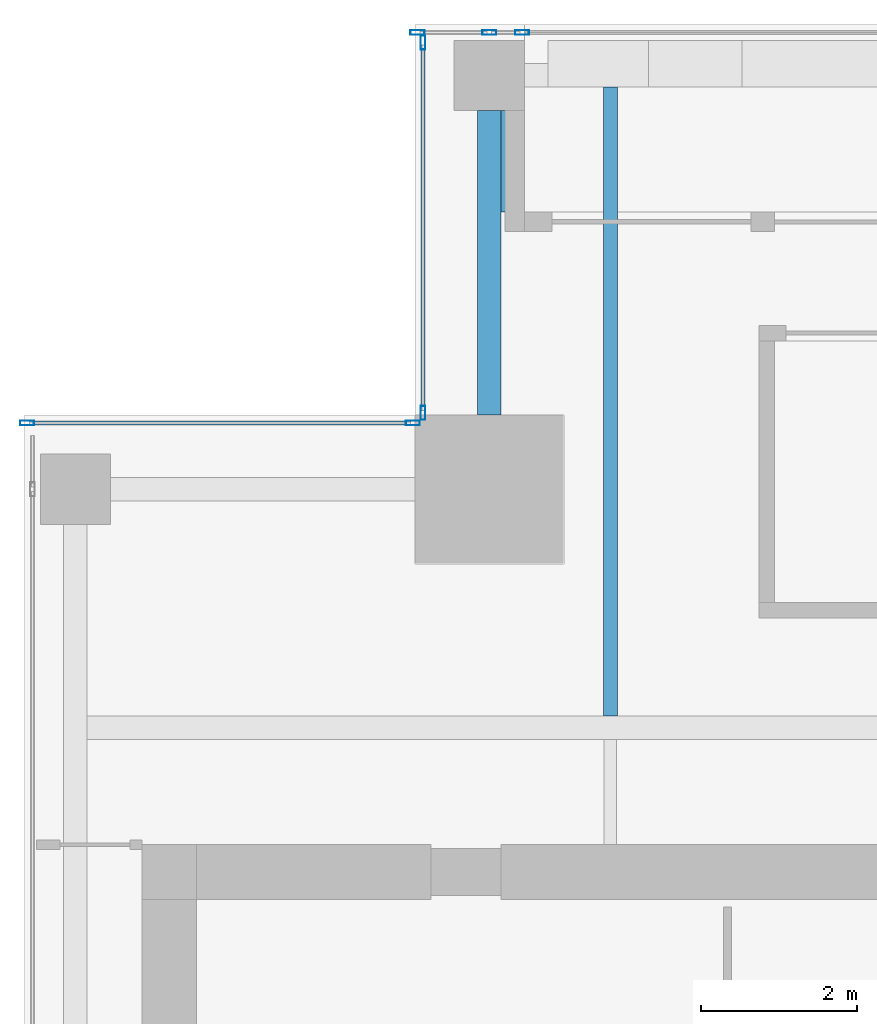
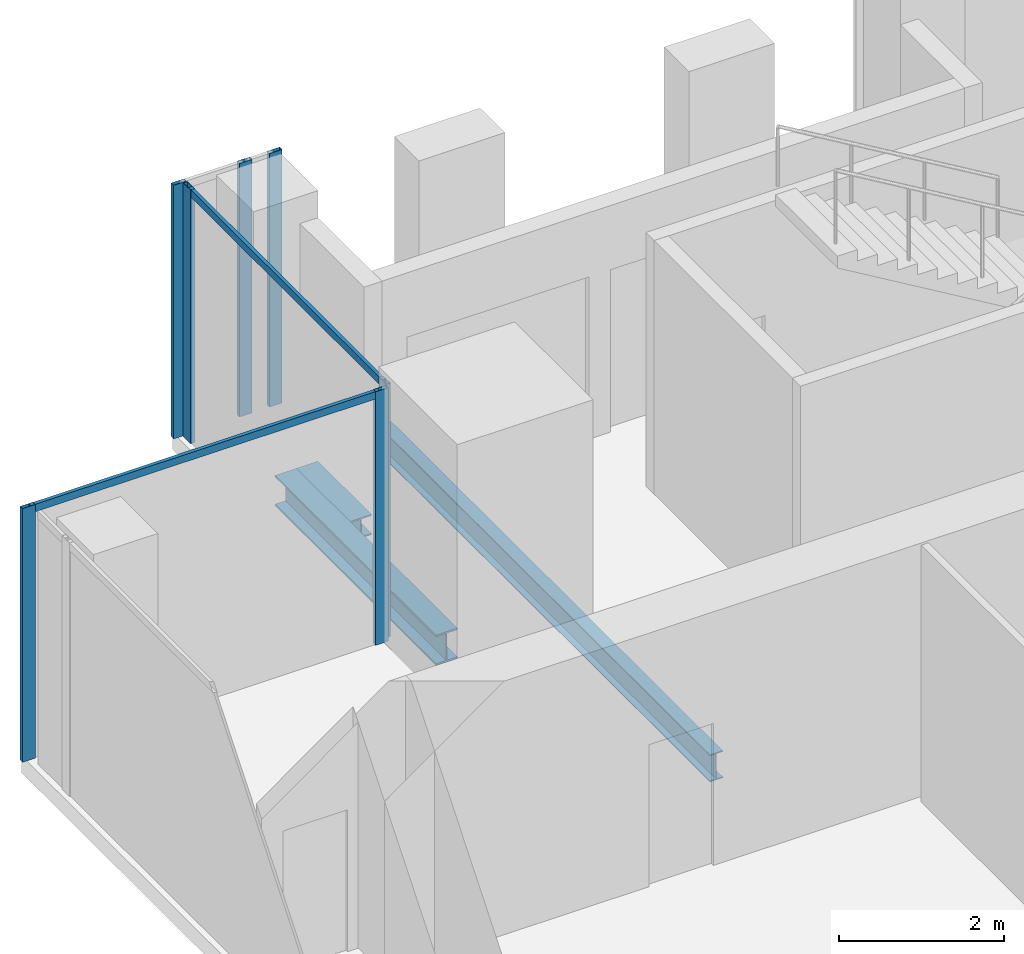
# One storey, part 18 of 36: 9 members, 3 beams, 3 elements without a shape of their own.
"""IFC4 building model written with IfcOpenShell, lengths in metres."""

from ifc_helpers import new_model, si_unit, direction, frame, origin, origin_2d, place, context, subcontext, project, spatial, hollow_rectangle, i_section, extrude, source, transform, mapped, material, material_profile, profile_set, type_object, element, aggregate, save


model = new_model("IFC4")

# Units and contexts
model_context = context("Model", 3, precision=1e-05, world=origin(), true_north=direction((0.0, 1.0)))
body_context = subcontext(model_context, "Body", "Model", "MODEL_VIEW")
ifc_project = project(units=[si_unit("LENGTHUNIT", "METRE"), si_unit("AREAUNIT", "SQUARE_METRE"), si_unit("VOLUMEUNIT", "CUBIC_METRE"), si_unit("PLANEANGLEUNIT", "RADIAN"), si_unit("MASSUNIT", "GRAM", prefix="KILO")], contexts=[model_context])

# Site, building, storey
site_placement = place(None, origin())
site = spatial("IfcSite", under=ifc_project, at=site_placement, CompositionType="ELEMENT")
building_placement = place(site_placement, origin())
building = spatial("IfcBuilding", under=site, at=building_placement, Name="Khomas Fold Tower", CompositionType="ELEMENT")
storey_placement = place(building_placement, frame((0.0, 0.0, 230.199951171875)))
storey = spatial("IfcBuildingStorey", under=building, at=storey_placement, Name="L51", CompositionType="ELEMENT", Elevation=230.199951171875)

# Beams
ifc_material_1 = material(Name="Steel S355", Category="steel")
ifc_material_profile_1 = material_profile(ifc_material_1, i_section(OverallWidth=0.300048828125, OverallDepth=0.449951171875, WebThickness=0.013916015625, FlangeThickness=0.02587890625, at=origin_2d()), Name="HE 450 B")
ifc_profile_set_1 = profile_set([ifc_material_profile_1], Name="Steel S355")
beam_type_1 = type_object("IfcBeamType", Name="HE 450 B spandrel SB4", PredefinedType="SPANDREL", material=ifc_profile_set_1)
shared_shape_1 = source(origin(), body_context, "Body", "SweptSolid", [
    extrude(i_section(OverallWidth=0.300048828125, OverallDepth=0.449951171875, WebThickness=0.013916015625, FlangeThickness=0.02587890625, at=origin_2d()), origin(), (0.0, 0.0, 1.0), 3.89990234375),
])
beam_1_placement = place(storey_placement, frame((10.449951171875, 44.5, -0.474853515625), z_axis=(0.0, 1.0, 0.0), x_axis=(-1.0, 0.0, 0.0)))
element("IfcBeam", 1, at=beam_1_placement, inside=storey, type_object=beam_type_1, Name="SB4", PredefinedType="SPANDREL", context=body_context, shape_type="MappedRepresentation", body=[
    mapped(shared_shape_1, transform((0.0, 0.0, 0.0))),
])
ifc_material_2 = material(Name="Steel S355", Category="steel")
ifc_material_profile_2 = material_profile(ifc_material_2, i_section(OverallWidth=0.179931640625, OverallDepth=0.39990234375, WebThickness=0.008544921875, FlangeThickness=0.013427734375, at=origin_2d()), Name="IPE 400")
ifc_profile_set_2 = profile_set([ifc_material_profile_2], Name="Steel S355")
beam_type_2 = type_object("IfcBeamType", Name="IPE 400 beam JB3", PredefinedType="BEAM", material=ifc_profile_set_2)
shared_shape_2 = source(origin(), body_context, "Body", "SweptSolid", [
    extrude(i_section(OverallWidth=0.179931640625, OverallDepth=0.39990234375, WebThickness=0.008544921875, FlangeThickness=0.013427734375, at=origin_2d()), origin(), (0.0, 0.0, 1.0), 8.050048828125),
])
beam_2_placement = place(storey_placement, frame((12.0, 40.64990234375, -0.449951171875), z_axis=(0.0, 1.0, 0.0), x_axis=(-1.0, 0.0, 0.0)))
element("IfcBeam", 2, at=beam_2_placement, inside=storey, type_object=beam_type_2, Name="JB3", PredefinedType="BEAM", context=body_context, shape_type="MappedRepresentation", body=[
    mapped(shared_shape_2, transform((0.0, 0.0, 0.0))),
])
ifc_material_3 = material(Name="Steel S355", Category="steel")
ifc_material_profile_3 = material_profile(ifc_material_3, i_section(OverallWidth=0.300048828125, OverallDepth=0.300048828125, WebThickness=0.010986328125, FlangeThickness=0.01904296875, at=origin_2d()), Name="HE 300 B")
ifc_profile_set_3 = profile_set([ifc_material_profile_3], Name="Steel S355")
beam_type_3 = type_object("IfcBeamType", Name="HE 300 B beam BB1", PredefinedType="BEAM", material=ifc_profile_set_3)
shared_shape_3 = source(origin(), body_context, "Body", "SweptSolid", [
    extrude(i_section(OverallWidth=0.300048828125, OverallDepth=0.300048828125, WebThickness=0.010986328125, FlangeThickness=0.01904296875, at=origin_2d()), origin(), (0.0, 0.0, 1.0), 1.2998046875),
])
beam_3_placement = place(storey_placement, frame((10.75, 47.10009765625, -0.39990234375), z_axis=(0.0, 1.0, 0.0), x_axis=(-1.0, 0.0, 0.0)))
element("IfcBeam", 3, at=beam_3_placement, inside=storey, type_object=beam_type_3, Name="BB1", PredefinedType="BEAM", context=body_context, shape_type="MappedRepresentation", body=[
    mapped(shared_shape_3, transform((0.0, 0.0, 0.0))),
])

# Curtain wall, members
ifc_material_4 = material(Name="Aluminium framed double glazing", Category="aluminium")
curtain_wall_type = type_object("IfcCurtainWallType", Name="SK-Unitised clear-glass wall, office floors CW2", PredefinedType="NOTDEFINED", material=ifc_material_4)
curtain_wall_1_placement = place(storey_placement, origin())
curtain_wall_1 = element("IfcCurtainWall", 4, at=curtain_wall_1_placement, inside=storey, type_object=curtain_wall_type, Name="CW2 run L51 06-1", PredefinedType="NOTDEFINED")
ifc_material_5 = material(Name="Aluminium", Category="aluminium")
ifc_material_profile_4 = material_profile(ifc_material_5, hollow_rectangle(XDim=0.06005859375, YDim=0.179931640625, WallThickness=0.00390625, at=origin_2d()), Name="SK-Unitised clear-glass wall, office floors mullion CW2-M")
ifc_profile_set_4 = profile_set([ifc_material_profile_4], Name="Aluminium")
member_type_1 = type_object("IfcMemberType", Name="SK-Unitised clear-glass wall, office floors mullion CW2-M", PredefinedType="MULLION", material=ifc_profile_set_4)
shared_shape_4 = source(origin(), body_context, "Body", "SweptSolid", [
    extrude(hollow_rectangle(XDim=0.06005859375, YDim=0.179931640625, WallThickness=0.00390625, at=origin_2d()), origin(), (0.0, 0.0, 1.0), 3.75),
])
member_1_placement = place(storey_placement, frame((10.8701171875, 49.39990234375, 0.0), z_axis=(0.0, 0.0, 1.0), x_axis=(0.0, -1.0, 0.0)))
member_1 = element("IfcMember", 5, at=member_1_placement, type_object=member_type_1, Name="CW2 mullion 1", PredefinedType="MULLION", context=body_context, shape_type="MappedRepresentation", body=[
    mapped(shared_shape_4, transform((0.0, 0.0, 0.0))),
])
member_2_placement = place(storey_placement, frame((10.449951171875, 49.39990234375, 0.0), z_axis=(0.0, 0.0, 1.0), x_axis=(0.0, -1.0, 0.0)))
member_2 = element("IfcMember", 6, at=member_2_placement, type_object=member_type_1, Name="CW2 mullion 2", PredefinedType="MULLION", context=body_context, shape_type="MappedRepresentation", body=[
    mapped(shared_shape_4, transform((0.0, 0.0, 0.0))),
])
member_3_placement = place(storey_placement, frame((9.530029296875, 49.39990234375, 0.0), z_axis=(0.0, 0.0, 1.0), x_axis=(0.0, -1.0, 0.0)))
member_3 = element("IfcMember", 7, at=member_3_placement, type_object=member_type_1, Name="CW2 mullion 3", PredefinedType="MULLION", context=body_context, shape_type="MappedRepresentation", body=[
    mapped(shared_shape_4, transform((0.0, 0.0, 0.0))),
])
aggregate(curtain_wall_1, [member_1, member_2, member_3])

curtain_wall_2_placement = place(storey_placement, origin())
curtain_wall_2 = element("IfcCurtainWall", 8, at=curtain_wall_2_placement, inside=storey, type_object=curtain_wall_type, Name="CW2 corner return L51 07", PredefinedType="NOTDEFINED")
member_4_placement = place(storey_placement, frame((9.60009765625, 49.27001953125, 0.0), z_axis=(0.0, 0.0, 1.0), x_axis=(1.0, 0.0, 0.0)))
member_4 = element("IfcMember", 9, at=member_4_placement, type_object=member_type_1, Name="CW2 mullion 1", PredefinedType="MULLION", context=body_context, shape_type="MappedRepresentation", body=[
    mapped(shared_shape_4, transform((0.0, 0.0, 0.0))),
])
member_5_placement = place(storey_placement, frame((9.60009765625, 44.530029296875, 0.0), z_axis=(0.0, 0.0, 1.0), x_axis=(1.0, 0.0, 0.0)))
member_5 = element("IfcMember", 10, at=member_5_placement, type_object=member_type_1, Name="CW2 mullion 2", PredefinedType="MULLION", context=body_context, shape_type="MappedRepresentation", body=[
    mapped(shared_shape_4, transform((0.0, 0.0, 0.0))),
])

curtain_wall_3_placement = place(storey_placement, origin())
curtain_wall_3 = element("IfcCurtainWall", 11, at=curtain_wall_3_placement, inside=storey, type_object=curtain_wall_type, Name="CW2 corner return L51 08", PredefinedType="NOTDEFINED")
member_6_placement = place(storey_placement, frame((9.469970703125, 44.39990234375, 0.0), z_axis=(0.0, 0.0, 1.0), x_axis=(0.0, -1.0, 0.0)))
member_6 = element("IfcMember", 12, at=member_6_placement, type_object=member_type_1, Name="CW2 mullion 1", PredefinedType="MULLION", context=body_context, shape_type="MappedRepresentation", body=[
    mapped(shared_shape_4, transform((0.0, 0.0, 0.0))),
])
member_7_placement = place(storey_placement, frame((4.530029296875, 44.39990234375, 0.0), z_axis=(0.0, 0.0, 1.0), x_axis=(0.0, -1.0, 0.0)))
member_7 = element("IfcMember", 13, at=member_7_placement, type_object=member_type_1, Name="CW2 mullion 2", PredefinedType="MULLION", context=body_context, shape_type="MappedRepresentation", body=[
    mapped(shared_shape_4, transform((0.0, 0.0, 0.0))),
])

# Member
ifc_material_6 = material(Name="Aluminium", Category="aluminium")
ifc_material_profile_5 = material_profile(ifc_material_6, hollow_rectangle(XDim=0.050048828125, YDim=0.110107421875, WallThickness=0.00390625, at=origin_2d()), Name="SK-Unitised clear-glass wall, office floors transom CW2-T")
ifc_profile_set_5 = profile_set([ifc_material_profile_5], Name="Aluminium")
member_type_2 = type_object("IfcMemberType", Name="SK-Unitised clear-glass wall, office floors transom CW2-T", PredefinedType="USERDEFINED", material=ifc_profile_set_5)
shared_shape_5 = source(origin(), body_context, "Body", "SweptSolid", [
    extrude(hollow_rectangle(XDim=0.050048828125, YDim=0.110107421875, WallThickness=0.00390625, at=origin_2d()), origin(), (0.0, 0.0, 1.0), 4.679931640625),
])
member_8_placement = place(storey_placement, frame((9.60009765625, 49.239990234375, 3.695068359375), z_axis=(0.0, -1.0, 0.0), x_axis=(1.0, 0.0, 0.0)))
member_8 = element("IfcMember", 14, at=member_8_placement, type_object=member_type_2, Name="CW2 transom 1", ObjectType="TRANSOM", PredefinedType="USERDEFINED", context=body_context, shape_type="MappedRepresentation", body=[
    mapped(shared_shape_5, transform((0.0, 0.0, 0.0))),
])

aggregate(curtain_wall_2, [member_4, member_5, member_8])

shared_shape_6 = source(origin(), body_context, "Body", "SweptSolid", [
    extrude(hollow_rectangle(XDim=0.050048828125, YDim=0.110107421875, WallThickness=0.00390625, at=origin_2d()), origin(), (0.0, 0.0, 1.0), 4.8798828125),
])
member_9_placement = place(storey_placement, frame((9.43994140625, 44.39990234375, 3.695068359375), z_axis=(-1.0, 0.0, 0.0), x_axis=(0.0, -1.0, 0.0)))
member_9 = element("IfcMember", 15, at=member_9_placement, type_object=member_type_2, Name="CW2 transom 1", ObjectType="TRANSOM", PredefinedType="USERDEFINED", context=body_context, shape_type="MappedRepresentation", body=[
    mapped(shared_shape_6, transform((0.0, 0.0, 0.0))),
])

aggregate(curtain_wall_3, [member_6, member_7, member_9])

save(model, "model.ifc")
